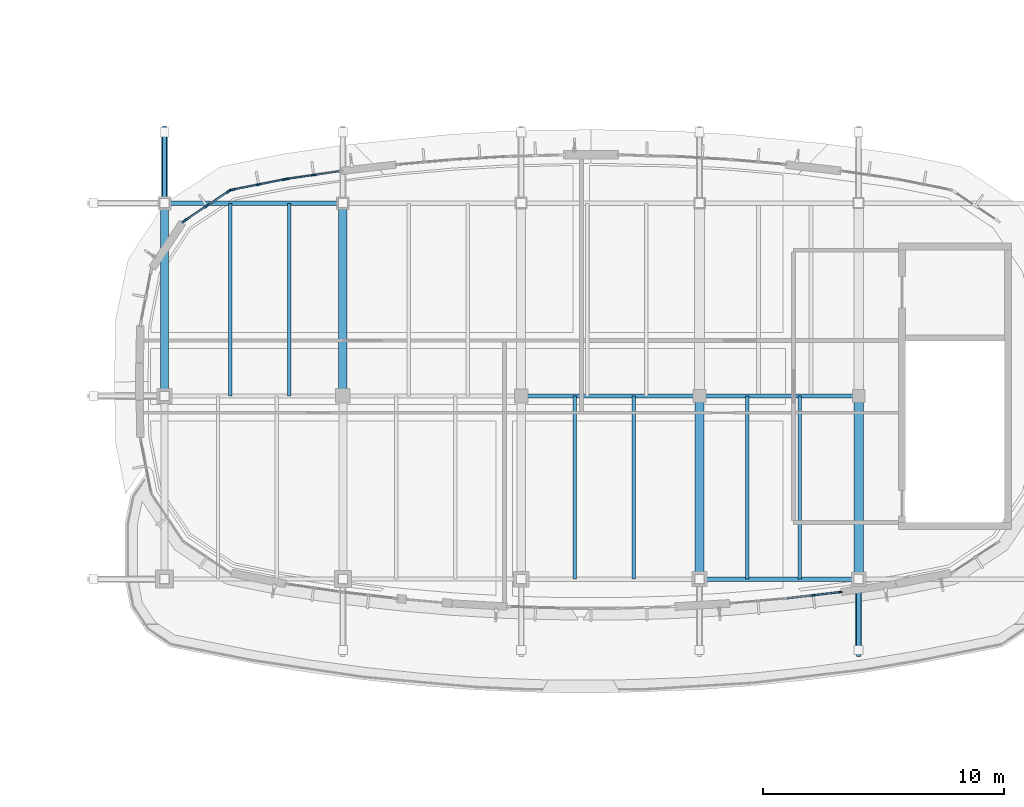
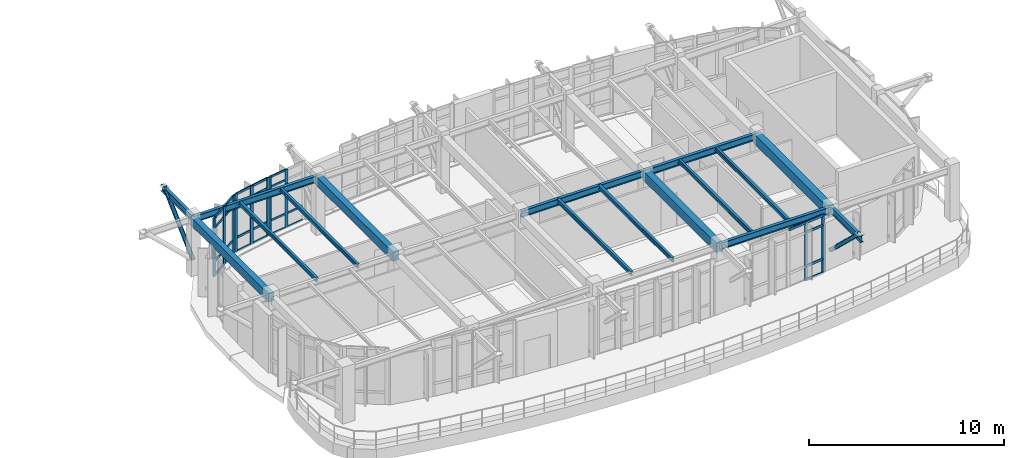
# One storey, part 24 of 105: 39 members, 16 beams, 4 elements without a shape of their own.
"""IFC4 building model written with IfcOpenShell, lengths in metres."""

from ifc_helpers import new_model, si_unit, direction, frame, origin, origin_2d, place, context, subcontext, project, spatial, rectangle, hollow_circle, i_section, extrude, material, material_profile, profile_set, type_object, element, aggregate, save


model = new_model("IFC4")

# Units and contexts
model_context = context("Model", 3, precision=1e-05, world=origin(), true_north=direction((0.0, 1.0)))
body_context = subcontext(model_context, "Body", "Model", "MODEL_VIEW")
ifc_project = project(units=[si_unit("LENGTHUNIT", "METRE"), si_unit("AREAUNIT", "SQUARE_METRE"), si_unit("VOLUMEUNIT", "CUBIC_METRE"), si_unit("PLANEANGLEUNIT", "RADIAN"), si_unit("MASSUNIT", "GRAM", prefix="KILO")], contexts=[model_context])

# Site, building, storey
site_placement = place(None, origin())
site = spatial("IfcSite", under=ifc_project, at=site_placement, CompositionType="ELEMENT")
building_placement = place(site_placement, origin())
building = spatial("IfcBuilding", under=site, at=building_placement, Name="Corveleigh Park Community Centre", CompositionType="ELEMENT")
storey_placement = place(building_placement, frame((0.0, 0.0, 8.699951171875)))
storey = spatial("IfcBuildingStorey", under=building, at=storey_placement, Name="L02", CompositionType="ELEMENT", Elevation=8.699951171875)

# Beams
ifc_material_1 = material(Name="Concrete C40/50", Category="concrete")
ifc_material_profile_1 = material_profile(ifc_material_1, rectangle(XDim=0.324951171875, YDim=0.52490234375, at=origin_2d()), Name="RC-325x525", Category="concrete")
ifc_profile_set_1 = profile_set([ifc_material_profile_1], Name="Concrete C40/50")
beam_type_1 = type_object("IfcBeamType", Name="BM-RC-325x525", PredefinedType="BEAM", material=ifc_profile_set_1)
beam_1_placement = place(storey_placement, frame((72.0, 18.804931640625, 3.349609375), z_axis=(0.0, 1.0, 0.0), x_axis=(-1.0, 0.0, 0.0)))
element("IfcBeam", 1, at=beam_1_placement, inside=storey, type_object=beam_type_1, Name="V3 Girder Y", PredefinedType="BEAM", context=body_context, shape_type="SweptSolid", body=[
    extrude(rectangle(XDim=0.324951171875, YDim=0.52490234375, at=origin_2d()), origin(), (0.0, 0.0, 1.0), 7.989990234375),
])
ifc_material_profile_2 = material_profile(ifc_material_1, rectangle(XDim=0.35009765625, YDim=0.550048828125, at=origin_2d()), Name="RC-350x550", Category="concrete")
ifc_profile_set_2 = profile_set([ifc_material_profile_2], Name="Concrete C40/50")
beam_type_2 = type_object("IfcBeamType", Name="BM-RC-350x550", PredefinedType="BEAM", material=ifc_profile_set_2)
beam_2_placement = place(storey_placement, frame((79.39990234375, 18.804931640625, 3.337158203125), z_axis=(0.0, 1.0, 0.0), x_axis=(-1.0, 0.0, 0.0)))
element("IfcBeam", 2, at=beam_2_placement, inside=storey, type_object=beam_type_2, Name="V3 Girder Y", PredefinedType="BEAM", context=body_context, shape_type="SweptSolid", body=[
    extrude(rectangle(XDim=0.35009765625, YDim=0.550048828125, at=origin_2d()), origin(), (0.0, 0.0, 1.0), 7.989990234375),
])
ifc_material_profile_3 = material_profile(ifc_material_1, rectangle(XDim=0.375, YDim=0.574951171875, at=origin_2d()), Name="RC-375x575", Category="concrete")
ifc_profile_set_3 = profile_set([ifc_material_profile_3], Name="Concrete C40/50")
beam_type_3 = type_object("IfcBeamType", Name="BM-RC-375x575", PredefinedType="BEAM", material=ifc_profile_set_3)
beam_3_placement = place(storey_placement, frame((94.199951171875, 11.205078125, 3.324462890625), z_axis=(0.0, 1.0, 0.0), x_axis=(-1.0, 0.0, 0.0)))
element("IfcBeam", 3, at=beam_3_placement, inside=storey, type_object=beam_type_3, Name="V3 Girder Y", PredefinedType="BEAM", context=body_context, shape_type="SweptSolid", body=[
    extrude(rectangle(XDim=0.375, YDim=0.574951171875, at=origin_2d()), origin(), (0.0, 0.0, 1.0), 7.58984375),
])
ifc_material_profile_4 = material_profile(ifc_material_1, rectangle(XDim=0.39990234375, YDim=0.60009765625, at=origin_2d()), Name="RC-400x600", Category="concrete")
ifc_profile_set_4 = profile_set([ifc_material_profile_4], Name="Concrete C40/50")
beam_type_4 = type_object("IfcBeamType", Name="BM-RC-400x600", PredefinedType="BEAM", material=ifc_profile_set_4)
beam_4_placement = place(storey_placement, frame((100.800048828125, 11.205078125, 3.31201171875), z_axis=(0.0, 1.0, 0.0), x_axis=(-1.0, 0.0, 0.0)))
element("IfcBeam", 4, at=beam_4_placement, inside=storey, type_object=beam_type_4, Name="V3 Girder Y", PredefinedType="BEAM", context=body_context, shape_type="SweptSolid", body=[
    extrude(rectangle(XDim=0.39990234375, YDim=0.60009765625, at=origin_2d()), origin(), (0.0, 0.0, 1.0), 7.58984375),
])
ifc_material_2 = material(Name="Steel S355", Category="steel")
ifc_material_profile_5 = material_profile(ifc_material_2, i_section(OverallWidth=0.14599609375, OverallDepth=0.25146484375, WebThickness=0.006103515625, FlangeThickness=0.008544921875, at=origin_2d()), Name="UKB 254x146x31", Category="steel")
ifc_profile_set_5 = profile_set([ifc_material_profile_5], Name="Steel S355")
beam_type_5 = type_object("IfcBeamType", Name="BM-STL-UKB254x31", PredefinedType="JOIST", material=ifc_profile_set_5)
for number, where, z_axis, x_axis, name in (
    (5, (74.738037109375, 18.804931640625, 3.486328125), (0.0, 1.0, 0.0), (-1.0, 0.0, 0.0), "Secondary floor joist"),
    (6, (77.179931640625, 18.804931640625, 3.486328125), (0.0, 1.0, 0.0), (-1.0, 0.0, 0.0), "Secondary floor joist"),
):
    element("IfcBeam", number, at=place(storey_placement, frame(where, z_axis=z_axis, x_axis=x_axis)), inside=storey, type_object=beam_type_5, Name=name, PredefinedType="JOIST", context=body_context, shape_type="SweptSolid", body=[
        extrude(i_section(OverallWidth=0.14599609375, OverallDepth=0.25146484375, WebThickness=0.006103515625, FlangeThickness=0.008544921875, at=origin_2d()), origin(), (0.0, 0.0, 1.0), 7.989990234375),
    ])
ifc_material_profile_6 = material_profile(ifc_material_2, i_section(OverallWidth=0.146484375, OverallDepth=0.256103515625, WebThickness=0.00634765625, FlangeThickness=0.010986328125, at=origin_2d()), Name="UKB 254x146x37", Category="steel")
ifc_profile_set_6 = profile_set([ifc_material_profile_6], Name="Steel S355")
beam_type_6 = type_object("IfcBeamType", Name="BM-STL-UKB254x37", PredefinedType="JOIST", material=ifc_profile_set_6)
for number, where, z_axis, x_axis, name in (
    (7, (89.02001953125, 11.205078125, 3.484130859375), (0.0, 1.0, 0.0), (-1.0, 0.0, 0.0), "Secondary floor joist"),
    (8, (91.4619140625, 11.205078125, 3.484130859375), (0.0, 1.0, 0.0), (-1.0, 0.0, 0.0), "Secondary floor joist"),
):
    element("IfcBeam", number, at=place(storey_placement, frame(where, z_axis=z_axis, x_axis=x_axis)), inside=storey, type_object=beam_type_6, Name=name, PredefinedType="JOIST", context=body_context, shape_type="SweptSolid", body=[
        extrude(i_section(OverallWidth=0.146484375, OverallDepth=0.256103515625, WebThickness=0.00634765625, FlangeThickness=0.010986328125, at=origin_2d()), origin(), (0.0, 0.0, 1.0), 7.58984375),
    ])
ifc_material_profile_7 = material_profile(ifc_material_2, i_section(OverallWidth=0.147216796875, OverallDepth=0.259521484375, WebThickness=0.007080078125, FlangeThickness=0.0126953125, at=origin_2d()), Name="UKB 254x146x43", Category="steel")
ifc_profile_set_7 = profile_set([ifc_material_profile_7], Name="Steel S355")
beam_type_7 = type_object("IfcBeamType", Name="BM-STL-UKB254x43", PredefinedType="JOIST", material=ifc_profile_set_7)
for number, where, z_axis, x_axis, name in (
    (9, (96.179931640625, 11.205078125, 3.482177734375), (0.0, 1.0, 0.0), (-1.0, 0.0, 0.0), "Secondary floor joist"),
    (10, (98.35791015625, 11.205078125, 3.482177734375), (0.0, 1.0, 0.0), (-1.0, 0.0, 0.0), "Secondary floor joist"),
):
    element("IfcBeam", number, at=place(storey_placement, frame(where, z_axis=z_axis, x_axis=x_axis)), inside=storey, type_object=beam_type_7, Name=name, PredefinedType="JOIST", context=body_context, shape_type="SweptSolid", body=[
        extrude(i_section(OverallWidth=0.147216796875, OverallDepth=0.259521484375, WebThickness=0.007080078125, FlangeThickness=0.0126953125, at=origin_2d()), origin(), (0.0, 0.0, 1.0), 7.58984375),
    ])
ifc_material_profile_8 = material_profile(ifc_material_2, i_section(OverallWidth=0.177978515625, OverallDepth=0.406494140625, WebThickness=0.0078125, FlangeThickness=0.0126953125, at=origin_2d()), Name="UKB 406x178x60", Category="steel")
ifc_profile_set_8 = profile_set([ifc_material_profile_8], Name="Steel S355")
beam_type_8 = type_object("IfcBeamType", Name="BM-STL-UKB406x60", PredefinedType="BEAM", material=ifc_profile_set_8)
beam_5_placement = place(storey_placement, frame((72.0048828125, 26.800048828125, 3.408935546875), z_axis=(1.0, 0.0, 0.0), x_axis=(0.0, 1.0, 0.0)))
element("IfcBeam", 11, at=beam_5_placement, inside=storey, type_object=beam_type_8, Name="V3 Girder X", PredefinedType="BEAM", context=body_context, shape_type="SweptSolid", body=[
    extrude(i_section(OverallWidth=0.177978515625, OverallDepth=0.406494140625, WebThickness=0.0078125, FlangeThickness=0.0126953125, at=origin_2d()), origin(), (0.0, 0.0, 1.0), 7.39013671875),
])
ifc_material_profile_9 = material_profile(ifc_material_2, i_section(OverallWidth=0.1787109375, OverallDepth=0.409423828125, WebThickness=0.0087890625, FlangeThickness=0.014404296875, at=origin_2d()), Name="UKB 406x178x67", Category="steel")
ifc_profile_set_9 = profile_set([ifc_material_profile_9], Name="Steel S355")
beam_type_9 = type_object("IfcBeamType", Name="BM-STL-UKB406x67", PredefinedType="BEAM", material=ifc_profile_set_9)
beam_6_placement = place(storey_placement, frame((94.205078125, 11.199951171875, 3.407470703125), z_axis=(1.0, 0.0, 0.0), x_axis=(0.0, 1.0, 0.0)))
element("IfcBeam", 12, at=beam_6_placement, inside=storey, type_object=beam_type_9, Name="V3 Girder X", PredefinedType="BEAM", context=body_context, shape_type="SweptSolid", body=[
    extrude(i_section(OverallWidth=0.1787109375, OverallDepth=0.409423828125, WebThickness=0.0087890625, FlangeThickness=0.014404296875, at=origin_2d()), origin(), (0.0, 0.0, 1.0), 6.58984375),
])
beam_7_placement = place(storey_placement, frame((86.804931640625, 18.800048828125, 3.407470703125), z_axis=(1.0, 0.0, 0.0), x_axis=(0.0, 1.0, 0.0)))
element("IfcBeam", 13, at=beam_7_placement, inside=storey, type_object=beam_type_9, Name="V3 Girder X", PredefinedType="BEAM", context=body_context, shape_type="SweptSolid", body=[
    extrude(i_section(OverallWidth=0.1787109375, OverallDepth=0.409423828125, WebThickness=0.0087890625, FlangeThickness=0.014404296875, at=origin_2d()), origin(), (0.0, 0.0, 1.0), 7.39013671875),
])
for number, where, z_axis, x_axis, name in (
    (14, (72.0, 26.81005859375, 3.459228515625), (0.0, 1.0, 0.0), (-1.0, 0.0, 0.0), "V3 Pebble Overhang Strut 1-2 Outrigger"),
    (15, (100.800048828125, 11.18994140625, 3.459228515625), (0.0, -1.0, 0.0), (1.0, 0.0, 0.0), "V3 Pebble Overhang Strut 5-0 Outrigger"),
):
    element("IfcBeam", number, at=place(storey_placement, frame(where, z_axis=z_axis, x_axis=x_axis)), inside=storey, type_object=beam_type_9, Name=name, PredefinedType="BEAM", context=body_context, shape_type="SweptSolid", body=[
        extrude(i_section(OverallWidth=0.1787109375, OverallDepth=0.409423828125, WebThickness=0.0087890625, FlangeThickness=0.014404296875, at=origin_2d()), origin(), (0.0, 0.0, 1.0), 3.18994140625),
    ])
ifc_material_profile_10 = material_profile(ifc_material_2, i_section(OverallWidth=0.179443359375, OverallDepth=0.412841796875, WebThickness=0.009521484375, FlangeThickness=0.01611328125, at=origin_2d()), Name="UKB 406x178x74", Category="steel")
ifc_profile_set_10 = profile_set([ifc_material_profile_10], Name="Steel S355")
beam_type_10 = type_object("IfcBeamType", Name="BM-STL-UKB406x74", PredefinedType="BEAM", material=ifc_profile_set_10)
beam_8_placement = place(storey_placement, frame((94.205078125, 18.800048828125, 3.40576171875), z_axis=(1.0, 0.0, 0.0), x_axis=(0.0, 1.0, 0.0)))
element("IfcBeam", 16, at=beam_8_placement, inside=storey, type_object=beam_type_10, Name="V3 Girder X", PredefinedType="BEAM", context=body_context, shape_type="SweptSolid", body=[
    extrude(i_section(OverallWidth=0.179443359375, OverallDepth=0.412841796875, WebThickness=0.009521484375, FlangeThickness=0.01611328125, at=origin_2d()), origin(), (0.0, 0.0, 1.0), 6.58984375),
])

# Curtain wall, members
ifc_material_3 = material(Name="Anodised aluminium 6063-T6", Category="aluminium")
curtain_wall_type = type_object("IfcCurtainWallType", Name="CW-SYS-V3-UPP", PredefinedType="NOTDEFINED", material=ifc_material_3)
curtain_wall_1_placement = place(storey_placement, origin())
curtain_wall_1 = element("IfcCurtainWall", 17, at=curtain_wall_1_placement, inside=storey, type_object=curtain_wall_type, Name="V3 L02 Curtain Wall 338", PredefinedType="NOTDEFINED")
ifc_material_profile_11 = material_profile(ifc_material_3, rectangle(XDim=0.06494140625, YDim=0.179931640625, at=origin_2d()), Name="ALU-M65x180", Category="aluminium")
ifc_profile_set_11 = profile_set([ifc_material_profile_11], Name="Anodised aluminium 6063-T6")
member_type_1 = type_object("IfcMemberType", Name="CWM-65x180", PredefinedType="MULLION", material=ifc_profile_set_11)
member_1_placement = place(storey_placement, frame((100.024658203125, 10.66015625, 0.0), z_axis=(0.0, 0.0, 1.0), x_axis=(0.116512098316, -0.993189272468, 0.0)))
member_1 = element("IfcMember", 18, at=member_1_placement, type_object=member_type_1, Name="CW06 mullion 1", PredefinedType="MULLION", context=body_context, shape_type="SweptSolid", body=[
    extrude(rectangle(XDim=0.06494140625, YDim=0.179931640625, at=origin_2d()), origin(), (0.0, 0.0, 1.0), 3.6640625),
])
member_2_placement = place(storey_placement, frame((98.9189453125, 10.530517578125, 0.0), z_axis=(0.0, 0.0, 1.0), x_axis=(0.116512098316, -0.993189272468, 0.0)))
member_2 = element("IfcMember", 19, at=member_2_placement, type_object=member_type_1, Name="CW06 mullion 2", PredefinedType="MULLION", context=body_context, shape_type="SweptSolid", body=[
    extrude(rectangle(XDim=0.06494140625, YDim=0.179931640625, at=origin_2d()), origin(), (0.0, 0.0, 1.0), 3.6640625),
])

curtain_wall_2_placement = place(storey_placement, origin())
curtain_wall_2 = element("IfcCurtainWall", 20, at=curtain_wall_2_placement, inside=storey, type_object=curtain_wall_type, Name="V3 L02 Curtain Wall 351", PredefinedType="NOTDEFINED")
ifc_material_profile_12 = material_profile(ifc_material_3, rectangle(XDim=0.070068359375, YDim=0.199951171875, at=origin_2d()), Name="ALU-M70x200", Category="aluminium")
ifc_profile_set_12 = profile_set([ifc_material_profile_12], Name="Anodised aluminium 6063-T6")
member_type_2 = type_object("IfcMemberType", Name="CWM-70x200", PredefinedType="MULLION", material=ifc_profile_set_12)
member_3_placement = place(storey_placement, frame((77.09375, 27.80712890625, 0.0), z_axis=(0.0, 0.0, 1.0), x_axis=(-0.144966003251, 0.989436636628, 0.0)))
member_3 = element("IfcMember", 21, at=member_3_placement, type_object=member_type_2, Name="CW06 mullion 1", PredefinedType="MULLION", context=body_context, shape_type="SweptSolid", body=[
    extrude(rectangle(XDim=0.070068359375, YDim=0.199951171875, at=origin_2d()), origin(), (0.0, 0.0, 1.0), 3.6640625),
])
member_4_placement = place(storey_placement, frame((78.19189453125, 27.968017578125, 0.0), z_axis=(0.0, 0.0, 1.0), x_axis=(-0.144966003251, 0.989436636628, 0.0)))
member_4 = element("IfcMember", 22, at=member_4_placement, type_object=member_type_2, Name="CW06 mullion 2", PredefinedType="MULLION", context=body_context, shape_type="SweptSolid", body=[
    extrude(rectangle(XDim=0.070068359375, YDim=0.199951171875, at=origin_2d()), origin(), (0.0, 0.0, 1.0), 3.6640625),
])

curtain_wall_3_placement = place(storey_placement, origin())
curtain_wall_3 = element("IfcCurtainWall", 23, at=curtain_wall_3_placement, inside=storey, type_object=curtain_wall_type, Name="V3 L02 Curtain Wall 352", PredefinedType="NOTDEFINED")
ifc_material_profile_13 = material_profile(ifc_material_3, rectangle(XDim=0.074951171875, YDim=0.219970703125, at=origin_2d()), Name="ALU-M75x220", Category="aluminium")
ifc_profile_set_13 = profile_set([ifc_material_profile_13], Name="Anodised aluminium 6063-T6")
member_type_3 = type_object("IfcMemberType", Name="CWM-75x220", PredefinedType="MULLION", material=ifc_profile_set_13)
member_5_placement = place(storey_placement, frame((74.814697265625, 27.356201171875, 0.0), z_axis=(0.0, 0.0, 1.0), x_axis=(-0.194947048267, 0.980813768445, 0.0)))
member_5 = element("IfcMember", 24, at=member_5_placement, type_object=member_type_3, Name="CW06 mullion 1", PredefinedType="MULLION", context=body_context, shape_type="SweptSolid", body=[
    extrude(rectangle(XDim=0.074951171875, YDim=0.219970703125, at=origin_2d()), origin(), (0.0, 0.0, 1.0), 3.6640625),
])
member_6_placement = place(storey_placement, frame((75.907470703125, 27.573486328125, 0.0), z_axis=(0.0, 0.0, 1.0), x_axis=(-0.194947048267, 0.980813768445, 0.0)))
member_6 = element("IfcMember", 25, at=member_6_placement, type_object=member_type_3, Name="CW06 mullion 2", PredefinedType="MULLION", context=body_context, shape_type="SweptSolid", body=[
    extrude(rectangle(XDim=0.074951171875, YDim=0.219970703125, at=origin_2d()), origin(), (0.0, 0.0, 1.0), 3.6640625),
])
member_7_placement = place(storey_placement, frame((77.000244140625, 27.790771484375, 0.0), z_axis=(0.0, 0.0, 1.0), x_axis=(-0.194947048267, 0.980813768445, 0.0)))
member_7 = element("IfcMember", 26, at=member_7_placement, type_object=member_type_3, Name="CW06 mullion 3", PredefinedType="MULLION", context=body_context, shape_type="SweptSolid", body=[
    extrude(rectangle(XDim=0.074951171875, YDim=0.219970703125, at=origin_2d()), origin(), (0.0, 0.0, 1.0), 3.6640625),
])

curtain_wall_4_placement = place(storey_placement, origin())
curtain_wall_4 = element("IfcCurtainWall", 27, at=curtain_wall_4_placement, inside=storey, type_object=curtain_wall_type, Name="V3 L02 Curtain Wall 353", PredefinedType="NOTDEFINED")
ifc_material_profile_14 = material_profile(ifc_material_3, rectangle(XDim=0.080078125, YDim=0.25, at=origin_2d()), Name="ALU-M80x250", Category="aluminium")
ifc_profile_set_14 = profile_set([ifc_material_profile_14], Name="Anodised aluminium 6063-T6")
member_type_4 = type_object("IfcMemberType", Name="CWM-80x250", PredefinedType="MULLION", material=ifc_profile_set_14)
member_8_placement = place(storey_placement, frame((72.84130859375, 26.076171875, 0.0), z_axis=(0.0, 0.0, 1.0), x_axis=(-0.55520812197, 0.831711453149, 0.0)))
member_8 = element("IfcMember", 28, at=member_8_placement, type_object=member_type_4, Name="CW06 mullion 1", PredefinedType="MULLION", context=body_context, shape_type="SweptSolid", body=[
    extrude(rectangle(XDim=0.080078125, YDim=0.25, at=origin_2d()), origin(), (0.0, 0.0, 1.0), 3.6640625),
])
member_9_placement = place(storey_placement, frame((73.75244140625, 26.6845703125, 0.0), z_axis=(0.0, 0.0, 1.0), x_axis=(-0.55520812197, 0.831711453149, 0.0)))
member_9 = element("IfcMember", 29, at=member_9_placement, type_object=member_type_4, Name="CW06 mullion 2", PredefinedType="MULLION", context=body_context, shape_type="SweptSolid", body=[
    extrude(rectangle(XDim=0.080078125, YDim=0.25, at=origin_2d()), origin(), (0.0, 0.0, 1.0), 3.6640625),
])
member_10_placement = place(storey_placement, frame((74.663818359375, 27.292724609375, 0.0), z_axis=(0.0, 0.0, 1.0), x_axis=(-0.55520812197, 0.831711453149, 0.0)))
member_10 = element("IfcMember", 30, at=member_10_placement, type_object=member_type_4, Name="CW06 mullion 3", PredefinedType="MULLION", context=body_context, shape_type="SweptSolid", body=[
    extrude(rectangle(XDim=0.080078125, YDim=0.25, at=origin_2d()), origin(), (0.0, 0.0, 1.0), 3.6640625),
])

# Member
ifc_material_profile_15 = material_profile(ifc_material_3, rectangle(XDim=0.06005859375, YDim=0.1201171875, at=origin_2d()), Name="ALU-T60x120", Category="aluminium")
ifc_profile_set_15 = profile_set([ifc_material_profile_15], Name="Anodised aluminium 6063-T6")
member_type_5 = type_object("IfcMemberType", Name="CWT-60x120", PredefinedType="USERDEFINED", material=ifc_profile_set_15)
member_11_placement = place(storey_placement, frame((77.128173828125, 27.812255859375, 0.030029296875), z_axis=(0.989460243996, 0.144804784285, 0.0), x_axis=(-0.144804784285, 0.989460243996, 0.0)))
member_11 = element("IfcMember", 31, at=member_11_placement, type_object=member_type_5, Name="CW06 transom 1.1", ObjectType="TRANSOM", PredefinedType="USERDEFINED", context=body_context, shape_type="SweptSolid", body=[
    extrude(rectangle(XDim=0.06005859375, YDim=0.1201171875, at=origin_2d()), origin(), (0.0, 0.0, 1.0), 1.040283203125),
])

member_12_placement = place(storey_placement, frame((77.128173828125, 27.812255859375, 0.900146484375), z_axis=(0.989460243996, 0.144804784285, 0.0), x_axis=(-0.144804784285, 0.989460243996, 0.0)))
member_12 = element("IfcMember", 32, at=member_12_placement, type_object=member_type_5, Name="CW06 transom 1.2", ObjectType="TRANSOM", PredefinedType="USERDEFINED", context=body_context, shape_type="SweptSolid", body=[
    extrude(rectangle(XDim=0.06005859375, YDim=0.1201171875, at=origin_2d()), origin(), (0.0, 0.0, 1.0), 1.040283203125),
])

member_13_placement = place(storey_placement, frame((77.128173828125, 27.812255859375, 3.01416015625), z_axis=(0.989460243996, 0.144804784285, 0.0), x_axis=(-0.144804784285, 0.989460243996, 0.0)))
member_13 = element("IfcMember", 33, at=member_13_placement, type_object=member_type_5, Name="CW06 transom 1.3", ObjectType="TRANSOM", PredefinedType="USERDEFINED", context=body_context, shape_type="SweptSolid", body=[
    extrude(rectangle(XDim=0.06005859375, YDim=0.1201171875, at=origin_2d()), origin(), (0.0, 0.0, 1.0), 1.040283203125),
])

member_14_placement = place(storey_placement, frame((77.128173828125, 27.812255859375, 3.634033203125), z_axis=(0.989460243996, 0.144804784285, 0.0), x_axis=(-0.144804784285, 0.989460243996, 0.0)))
member_14 = element("IfcMember", 34, at=member_14_placement, type_object=member_type_5, Name="CW06 transom 1.4", ObjectType="TRANSOM", PredefinedType="USERDEFINED", context=body_context, shape_type="SweptSolid", body=[
    extrude(rectangle(XDim=0.06005859375, YDim=0.1201171875, at=origin_2d()), origin(), (0.0, 0.0, 1.0), 1.040283203125),
])

member_15_placement = place(storey_placement, frame((78.2265625, 27.97314453125, 0.030029296875), z_axis=(0.989460243996, 0.144804784285, 0.0), x_axis=(-0.144804784285, 0.989460243996, 0.0)))
member_15 = element("IfcMember", 35, at=member_15_placement, type_object=member_type_5, Name="CW06 transom 2.1", ObjectType="TRANSOM", PredefinedType="USERDEFINED", context=body_context, shape_type="SweptSolid", body=[
    extrude(rectangle(XDim=0.06005859375, YDim=0.1201171875, at=origin_2d()), origin(), (0.0, 0.0, 1.0), 1.040283203125),
])

member_16_placement = place(storey_placement, frame((78.2265625, 27.97314453125, 0.900146484375), z_axis=(0.989460243996, 0.144804784285, 0.0), x_axis=(-0.144804784285, 0.989460243996, 0.0)))
member_16 = element("IfcMember", 36, at=member_16_placement, type_object=member_type_5, Name="CW06 transom 2.2", ObjectType="TRANSOM", PredefinedType="USERDEFINED", context=body_context, shape_type="SweptSolid", body=[
    extrude(rectangle(XDim=0.06005859375, YDim=0.1201171875, at=origin_2d()), origin(), (0.0, 0.0, 1.0), 1.040283203125),
])

aggregate(curtain_wall_2, [member_3, member_4, member_11, member_12, member_13, member_14, member_15, member_16])

ifc_material_profile_16 = material_profile(ifc_material_3, rectangle(XDim=0.06494140625, YDim=0.139892578125, at=origin_2d()), Name="ALU-T65x140", Category="aluminium")
ifc_profile_set_16 = profile_set([ifc_material_profile_16], Name="Anodised aluminium 6063-T6")
member_type_6 = type_object("IfcMemberType", Name="CWT-65x140", PredefinedType="USERDEFINED", material=ifc_profile_set_16)
member_17_placement = place(storey_placement, frame((74.8515625, 27.363525390625, 0.032470703125), z_axis=(0.980796978466, 0.195031502666, 0.0), x_axis=(-0.195031502666, 0.980796978466, 0.0)))
member_17 = element("IfcMember", 37, at=member_17_placement, type_object=member_type_6, Name="CW06 transom 1.1", ObjectType="TRANSOM", PredefinedType="USERDEFINED", context=body_context, shape_type="SweptSolid", body=[
    extrude(rectangle(XDim=0.06494140625, YDim=0.139892578125, at=origin_2d()), origin(), (0.0, 0.0, 1.0), 1.0390625),
])

member_18_placement = place(storey_placement, frame((74.8515625, 27.363525390625, 0.900146484375), z_axis=(0.980796978466, 0.195031502666, 0.0), x_axis=(-0.195031502666, 0.980796978466, 0.0)))
member_18 = element("IfcMember", 38, at=member_18_placement, type_object=member_type_6, Name="CW06 transom 1.2", ObjectType="TRANSOM", PredefinedType="USERDEFINED", context=body_context, shape_type="SweptSolid", body=[
    extrude(rectangle(XDim=0.06494140625, YDim=0.139892578125, at=origin_2d()), origin(), (0.0, 0.0, 1.0), 1.0390625),
])

member_19_placement = place(storey_placement, frame((74.8515625, 27.363525390625, 3.01416015625), z_axis=(0.980796978466, 0.195031502666, 0.0), x_axis=(-0.195031502666, 0.980796978466, 0.0)))
member_19 = element("IfcMember", 39, at=member_19_placement, type_object=member_type_6, Name="CW06 transom 1.3", ObjectType="TRANSOM", PredefinedType="USERDEFINED", context=body_context, shape_type="SweptSolid", body=[
    extrude(rectangle(XDim=0.06494140625, YDim=0.139892578125, at=origin_2d()), origin(), (0.0, 0.0, 1.0), 1.0390625),
])

member_20_placement = place(storey_placement, frame((74.8515625, 27.363525390625, 3.631591796875), z_axis=(0.980796978466, 0.195031502666, 0.0), x_axis=(-0.195031502666, 0.980796978466, 0.0)))
member_20 = element("IfcMember", 40, at=member_20_placement, type_object=member_type_6, Name="CW06 transom 1.4", ObjectType="TRANSOM", PredefinedType="USERDEFINED", context=body_context, shape_type="SweptSolid", body=[
    extrude(rectangle(XDim=0.06494140625, YDim=0.139892578125, at=origin_2d()), origin(), (0.0, 0.0, 1.0), 1.0390625),
])

member_21_placement = place(storey_placement, frame((75.9443359375, 27.580810546875, 0.032470703125), z_axis=(0.980796978466, 0.195031502666, 0.0), x_axis=(-0.195031502666, 0.980796978466, 0.0)))
member_21 = element("IfcMember", 41, at=member_21_placement, type_object=member_type_6, Name="CW06 transom 2.1", ObjectType="TRANSOM", PredefinedType="USERDEFINED", context=body_context, shape_type="SweptSolid", body=[
    extrude(rectangle(XDim=0.06494140625, YDim=0.139892578125, at=origin_2d()), origin(), (0.0, 0.0, 1.0), 1.0390625),
])

member_22_placement = place(storey_placement, frame((75.9443359375, 27.580810546875, 0.900146484375), z_axis=(0.980796978466, 0.195031502666, 0.0), x_axis=(-0.195031502666, 0.980796978466, 0.0)))
member_22 = element("IfcMember", 42, at=member_22_placement, type_object=member_type_6, Name="CW06 transom 2.2", ObjectType="TRANSOM", PredefinedType="USERDEFINED", context=body_context, shape_type="SweptSolid", body=[
    extrude(rectangle(XDim=0.06494140625, YDim=0.139892578125, at=origin_2d()), origin(), (0.0, 0.0, 1.0), 1.0390625),
])

member_23_placement = place(storey_placement, frame((75.9443359375, 27.580810546875, 3.01416015625), z_axis=(0.980796978466, 0.195031502666, 0.0), x_axis=(-0.195031502666, 0.980796978466, 0.0)))
member_23 = element("IfcMember", 43, at=member_23_placement, type_object=member_type_6, Name="CW06 transom 2.3", ObjectType="TRANSOM", PredefinedType="USERDEFINED", context=body_context, shape_type="SweptSolid", body=[
    extrude(rectangle(XDim=0.06494140625, YDim=0.139892578125, at=origin_2d()), origin(), (0.0, 0.0, 1.0), 1.0390625),
])

member_24_placement = place(storey_placement, frame((75.9443359375, 27.580810546875, 3.631591796875), z_axis=(0.980796978466, 0.195031502666, 0.0), x_axis=(-0.195031502666, 0.980796978466, 0.0)))
member_24 = element("IfcMember", 44, at=member_24_placement, type_object=member_type_6, Name="CW06 transom 2.4", ObjectType="TRANSOM", PredefinedType="USERDEFINED", context=body_context, shape_type="SweptSolid", body=[
    extrude(rectangle(XDim=0.06494140625, YDim=0.139892578125, at=origin_2d()), origin(), (0.0, 0.0, 1.0), 1.0390625),
])

aggregate(curtain_wall_3, [member_5, member_6, member_7, member_17, member_18, member_19, member_20, member_21, member_22, member_23, member_24])

ifc_material_profile_17 = material_profile(ifc_material_3, rectangle(XDim=0.070068359375, YDim=0.155029296875, at=origin_2d()), Name="ALU-T70x155", Category="aluminium")
ifc_profile_set_17 = profile_set([ifc_material_profile_17], Name="Anodised aluminium 6063-T6")
member_type_7 = type_object("IfcMemberType", Name="CWT-70x155", PredefinedType="USERDEFINED", material=ifc_profile_set_17)
member_25_placement = place(storey_placement, frame((99.992431640625, 10.656494140625, 0.03515625), z_axis=(-0.993171252622, -0.11666560318, 0.0), x_axis=(0.11666560318, -0.993171252622, 0.0)))
member_25 = element("IfcMember", 45, at=member_25_placement, type_object=member_type_7, Name="CW06 transom 1.1", ObjectType="TRANSOM", PredefinedType="USERDEFINED", context=body_context, shape_type="SweptSolid", body=[
    extrude(rectangle(XDim=0.070068359375, YDim=0.155029296875, at=origin_2d()), origin(), (0.0, 0.0, 1.0), 1.04833984375),
])

member_26_placement = place(storey_placement, frame((99.992431640625, 10.656494140625, 0.900146484375), z_axis=(-0.993171252622, -0.11666560318, 0.0), x_axis=(0.11666560318, -0.993171252622, 0.0)))
member_26 = element("IfcMember", 46, at=member_26_placement, type_object=member_type_7, Name="CW06 transom 1.2", ObjectType="TRANSOM", PredefinedType="USERDEFINED", context=body_context, shape_type="SweptSolid", body=[
    extrude(rectangle(XDim=0.070068359375, YDim=0.155029296875, at=origin_2d()), origin(), (0.0, 0.0, 1.0), 1.04833984375),
])

member_27_placement = place(storey_placement, frame((99.992431640625, 10.656494140625, 3.01416015625), z_axis=(-0.993171252622, -0.11666560318, 0.0), x_axis=(0.11666560318, -0.993171252622, 0.0)))
member_27 = element("IfcMember", 47, at=member_27_placement, type_object=member_type_7, Name="CW06 transom 1.3", ObjectType="TRANSOM", PredefinedType="USERDEFINED", context=body_context, shape_type="SweptSolid", body=[
    extrude(rectangle(XDim=0.070068359375, YDim=0.155029296875, at=origin_2d()), origin(), (0.0, 0.0, 1.0), 1.04833984375),
])

member_28_placement = place(storey_placement, frame((99.992431640625, 10.656494140625, 3.629150390625), z_axis=(-0.993171252622, -0.11666560318, 0.0), x_axis=(0.11666560318, -0.993171252622, 0.0)))
member_28 = element("IfcMember", 48, at=member_28_placement, type_object=member_type_7, Name="CW06 transom 1.4", ObjectType="TRANSOM", PredefinedType="USERDEFINED", context=body_context, shape_type="SweptSolid", body=[
    extrude(rectangle(XDim=0.070068359375, YDim=0.155029296875, at=origin_2d()), origin(), (0.0, 0.0, 1.0), 1.04833984375),
])

member_29_placement = place(storey_placement, frame((98.88671875, 10.526611328125, 3.629150390625), z_axis=(-0.993198208663, -0.11643589785, 0.0), x_axis=(0.11643589785, -0.993198208663, 0.0)))
member_29 = element("IfcMember", 49, at=member_29_placement, type_object=member_type_7, Name="CW06 transom 2.4", ObjectType="TRANSOM", PredefinedType="USERDEFINED", context=body_context, shape_type="SweptSolid", body=[
    extrude(rectangle(XDim=0.070068359375, YDim=0.155029296875, at=origin_2d()), origin(), (0.0, 0.0, 1.0), 1.04833984375),
])

aggregate(curtain_wall_1, [member_1, member_2, member_25, member_26, member_27, member_28, member_29])

member_30_placement = place(storey_placement, frame((72.87451171875, 26.098388671875, 0.03515625), z_axis=(0.831680309389, 0.555254773032, 0.0), x_axis=(-0.555254773032, 0.831680309389, 0.0)))
member_30 = element("IfcMember", 50, at=member_30_placement, type_object=member_type_7, Name="CW06 transom 1.1", ObjectType="TRANSOM", PredefinedType="USERDEFINED", context=body_context, shape_type="SweptSolid", body=[
    extrude(rectangle(XDim=0.070068359375, YDim=0.155029296875, at=origin_2d()), origin(), (0.0, 0.0, 1.0), 1.015625),
])

member_31_placement = place(storey_placement, frame((72.87451171875, 26.098388671875, 0.900146484375), z_axis=(0.831680309389, 0.555254773032, 0.0), x_axis=(-0.555254773032, 0.831680309389, 0.0)))
member_31 = element("IfcMember", 51, at=member_31_placement, type_object=member_type_7, Name="CW06 transom 1.2", ObjectType="TRANSOM", PredefinedType="USERDEFINED", context=body_context, shape_type="SweptSolid", body=[
    extrude(rectangle(XDim=0.070068359375, YDim=0.155029296875, at=origin_2d()), origin(), (0.0, 0.0, 1.0), 1.015625),
])

member_32_placement = place(storey_placement, frame((72.87451171875, 26.098388671875, 3.01416015625), z_axis=(0.831680309389, 0.555254773032, 0.0), x_axis=(-0.555254773032, 0.831680309389, 0.0)))
member_32 = element("IfcMember", 52, at=member_32_placement, type_object=member_type_7, Name="CW06 transom 1.3", ObjectType="TRANSOM", PredefinedType="USERDEFINED", context=body_context, shape_type="SweptSolid", body=[
    extrude(rectangle(XDim=0.070068359375, YDim=0.155029296875, at=origin_2d()), origin(), (0.0, 0.0, 1.0), 1.015625),
])

member_33_placement = place(storey_placement, frame((72.87451171875, 26.098388671875, 3.629150390625), z_axis=(0.831680309389, 0.555254773032, 0.0), x_axis=(-0.555254773032, 0.831680309389, 0.0)))
member_33 = element("IfcMember", 53, at=member_33_placement, type_object=member_type_7, Name="CW06 transom 1.4", ObjectType="TRANSOM", PredefinedType="USERDEFINED", context=body_context, shape_type="SweptSolid", body=[
    extrude(rectangle(XDim=0.070068359375, YDim=0.155029296875, at=origin_2d()), origin(), (0.0, 0.0, 1.0), 1.015625),
])

member_34_placement = place(storey_placement, frame((73.785888671875, 26.706787109375, 0.03515625), z_axis=(0.831717213434, 0.555199492865, 0.0), x_axis=(-0.555199492865, 0.831717213434, 0.0)))
member_34 = element("IfcMember", 54, at=member_34_placement, type_object=member_type_7, Name="CW06 transom 2.1", ObjectType="TRANSOM", PredefinedType="USERDEFINED", context=body_context, shape_type="SweptSolid", body=[
    extrude(rectangle(XDim=0.070068359375, YDim=0.155029296875, at=origin_2d()), origin(), (0.0, 0.0, 1.0), 1.015380859375),
])

member_35_placement = place(storey_placement, frame((73.785888671875, 26.706787109375, 0.900146484375), z_axis=(0.831717213434, 0.555199492865, 0.0), x_axis=(-0.555199492865, 0.831717213434, 0.0)))
member_35 = element("IfcMember", 55, at=member_35_placement, type_object=member_type_7, Name="CW06 transom 2.2", ObjectType="TRANSOM", PredefinedType="USERDEFINED", context=body_context, shape_type="SweptSolid", body=[
    extrude(rectangle(XDim=0.070068359375, YDim=0.155029296875, at=origin_2d()), origin(), (0.0, 0.0, 1.0), 1.015380859375),
])

member_36_placement = place(storey_placement, frame((73.785888671875, 26.706787109375, 3.01416015625), z_axis=(0.831717213434, 0.555199492865, 0.0), x_axis=(-0.555199492865, 0.831717213434, 0.0)))
member_36 = element("IfcMember", 56, at=member_36_placement, type_object=member_type_7, Name="CW06 transom 2.3", ObjectType="TRANSOM", PredefinedType="USERDEFINED", context=body_context, shape_type="SweptSolid", body=[
    extrude(rectangle(XDim=0.070068359375, YDim=0.155029296875, at=origin_2d()), origin(), (0.0, 0.0, 1.0), 1.015380859375),
])

member_37_placement = place(storey_placement, frame((73.785888671875, 26.706787109375, 3.629150390625), z_axis=(0.831717213434, 0.555199492865, 0.0), x_axis=(-0.555199492865, 0.831717213434, 0.0)))
member_37 = element("IfcMember", 57, at=member_37_placement, type_object=member_type_7, Name="CW06 transom 2.4", ObjectType="TRANSOM", PredefinedType="USERDEFINED", context=body_context, shape_type="SweptSolid", body=[
    extrude(rectangle(XDim=0.070068359375, YDim=0.155029296875, at=origin_2d()), origin(), (0.0, 0.0, 1.0), 1.015380859375),
])

aggregate(curtain_wall_4, [member_8, member_9, member_10, member_30, member_31, member_32, member_33, member_34, member_35, member_36, member_37])

# Members
ifc_material_profile_18 = material_profile(ifc_material_2, hollow_circle(Radius=0.122314453125, WallThickness=0.012451171875, at=origin_2d()), Name="CHS 244.5x12.5", Category="steel")
ifc_profile_set_18 = profile_set([ifc_material_profile_18], Name="Steel S355")
member_type_8 = type_object("IfcMemberType", Name="MEM-STR-CHS245", PredefinedType="STRUT", material=ifc_profile_set_18)
for number, where, z_axis, x_axis, name in (
    (58, (72.0, 26.800048828125, 0.85009765625), (0.0, 0.723742424905, 0.690070215553), (-1.0, 0.0, 0.0), "V3 Pebble Overhang Strut 1-2"),
    (59, (100.800048828125, 11.199951171875, 0.85009765625), (0.0, -0.723742424905, 0.690070215553), (1.0, 0.0, 0.0), "V3 Pebble Overhang Strut 5-0"),
):
    element("IfcMember", number, at=place(storey_placement, frame(where, z_axis=z_axis, x_axis=x_axis)), inside=storey, type_object=member_type_8, Name=name, PredefinedType="STRUT", context=body_context, shape_type="SweptSolid", body=[
        extrude(hollow_circle(Radius=0.122314453125, WallThickness=0.012451171875, at=origin_2d()), origin(), (0.0, 0.0, 1.0), 4.067626953125),
    ])

save(model, "model.ifc")
